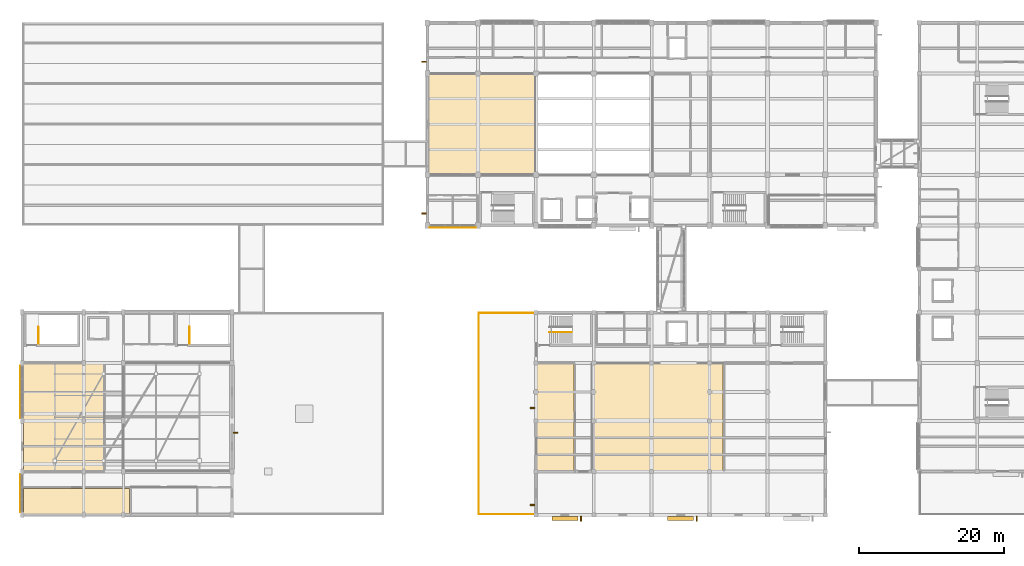
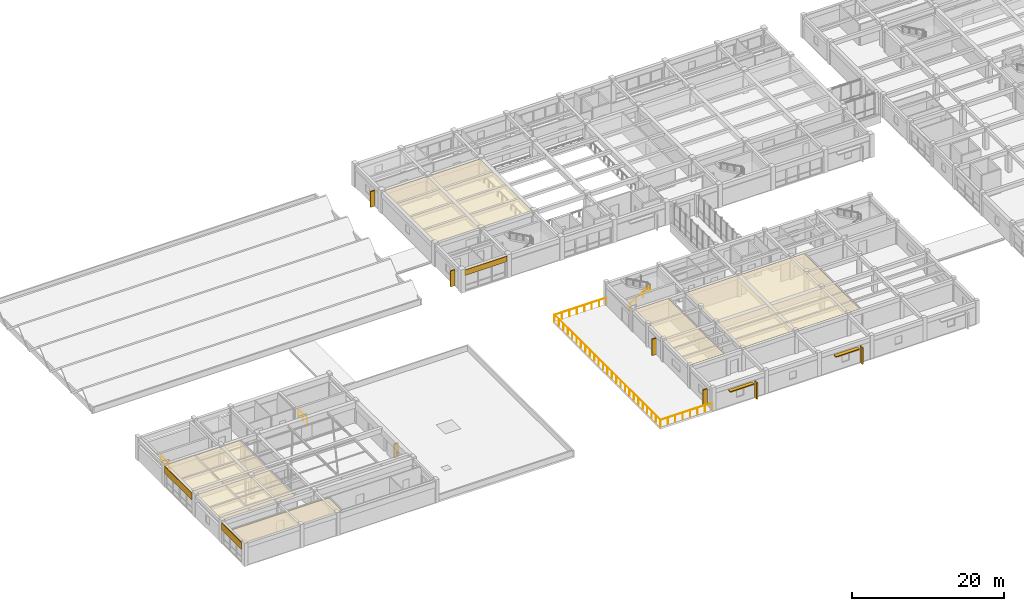
# One storey, part 36 of 42: 9 shading devices, 8 coverings, 6 railings.
"""IFC4 building model written with IfcOpenShell, lengths in metres."""

from ifc_helpers import new_model, si_unit, direction, frame, origin, origin_2d, place, context, subcontext, project, spatial, polyline, rectangle, circle, outline, extrude, material, layer, layer_set, type_object, element, save


model = new_model("IFC4")

# Units and contexts
model_context = context("Model", 3, precision=1e-05, world=origin(), true_north=direction((0.0, 1.0)))
body_context = subcontext(model_context, "Body", "Model", "MODEL_VIEW")
ifc_project = project(units=[si_unit("LENGTHUNIT", "METRE"), si_unit("AREAUNIT", "SQUARE_METRE"), si_unit("VOLUMEUNIT", "CUBIC_METRE"), si_unit("PLANEANGLEUNIT", "RADIAN"), si_unit("MASSUNIT", "GRAM", prefix="KILO")], contexts=[model_context])

# Site, building, storey
site_placement = place(None, origin())
site = spatial("IfcSite", under=ifc_project, at=site_placement, CompositionType="ELEMENT")
building_placement = place(site_placement, origin())
building = spatial("IfcBuilding", under=site, at=building_placement, Name="Naurynzar Civic Courthouse", CompositionType="ELEMENT")
storey_placement = place(building_placement, frame((0.0, 0.0, 18.300048828125)))
storey = spatial("IfcBuildingStorey", under=building, at=storey_placement, Name="L05", CompositionType="ELEMENT", Elevation=18.300048828125)

# Coverings
ifc_material_1 = material(Name="Acoustic Oak Timber Grade A", Category="wood")
ifc_layer_1 = layer(ifc_material_1, 0.044921875)
ifc_layer_set_1 = layer_set([ifc_layer_1], Name="CEIL-ACOUSTIC-OAK-45")
covering_type_1 = type_object("IfcCoveringType", Name="CEIL-ACOUSTIC-OAK-45", PredefinedType="CEILING", material=ifc_layer_set_1)
covering_1_placement = place(storey_placement, frame((0.0, 0.0, 3.364990234375)))
element("IfcCovering", 1, at=covering_1_placement, inside=storey, type_object=covering_type_1, Name="Acoustic suspended ceiling Principal Civil Courtroom 5A", PredefinedType="CEILING", context=body_context, shape_type="SweptSolid", body=[
    extrude(outline(polyline([(62.159912109375, 51.159912109375), (62.159912109375, 64.840087890625), (76.840087890625, 64.840087890625), (76.840087890625, 51.159912109375), (62.159912109375, 51.159912109375)])), origin(), (0.0, 0.0, 1.0), 0.044921875),
])
ifc_material_2 = material(Name="Mineral Fibre Acoustic Ceiling")
ifc_layer_2 = layer(ifc_material_2, 0.030029296875)
ifc_layer_set_2 = layer_set([ifc_layer_2], Name="CEIL-MINERAL-30")
covering_type_2 = type_object("IfcCoveringType", Name="CEIL-MINERAL-30", PredefinedType="CEILING", material=ifc_layer_set_2)
covering_2_placement = place(storey_placement, frame((0.0, 0.0, 3.3349609375)))
element("IfcCovering", 2, at=covering_2_placement, inside=storey, type_object=covering_type_2, Name="Acoustic suspended ceiling Judicial Archive Reference Hall", PredefinedType="CEILING", context=body_context, shape_type="SweptSolid", body=[
    extrude(outline(polyline([(17.239990234375, 10.159912109375), (6.159912109375, 10.159912109375), (6.159912109375, 24.840087890625), (17.239990234375, 24.840087890625), (17.239990234375, 10.159912109375)])), origin(), (0.0, 0.0, 1.0), 0.030029296875),
])
covering_3_placement = place(storey_placement, frame((0.0, 0.0, 3.3349609375)))
element("IfcCovering", 3, at=covering_3_placement, inside=storey, type_object=covering_type_2, Name="Acoustic suspended ceiling Judicial Clerks' Training Room", PredefinedType="CEILING", context=body_context, shape_type="SweptSolid", body=[
    extrude(outline(polyline([(20.840087890625, 4.159912109375), (6.159912109375, 4.159912109375), (6.159912109375, 7.639892578125), (20.840087890625, 7.639892578125), (20.840087890625, 4.159912109375)])), origin(), (0.0, 0.0, 1.0), 0.030029296875),
])
covering_4_placement = place(storey_placement, frame((0.0, 0.0, 3.364990234375)))
element("IfcCovering", 4, at=covering_4_placement, inside=storey, type_object=covering_type_2, Name="Acoustic suspended ceiling Law Library Reading Room West L05", PredefinedType="CEILING", context=body_context, shape_type="SweptSolid", body=[
    extrude(outline(polyline([(82.239990234375, 10.159912109375), (77.159912109375, 10.159912109375), (77.159912109375, 24.840087890625), (82.239990234375, 24.840087890625), (82.239990234375, 10.159912109375)])), origin(), (0.0, 0.0, 1.0), 0.030029296875),
])
covering_5_placement = place(storey_placement, frame((0.0, 0.0, 3.364990234375)))
element("IfcCovering", 5, at=covering_5_placement, inside=storey, type_object=covering_type_2, Name="Acoustic suspended ceiling Law Library Reading Room Main Hall", PredefinedType="CEILING", context=body_context, shape_type="SweptSolid", body=[
    extrude(outline(polyline([(102.840087890625, 10.159912109375), (84.9599609375, 10.159912109375), (84.9599609375, 24.840087890625), (102.840087890625, 24.840087890625), (102.840087890625, 10.159912109375)])), origin(), (0.0, 0.0, 1.0), 0.030029296875),
])
ifc_material_3 = material(Name="Precast concrete C40/50", Category="concrete")
ifc_layer_3 = layer(ifc_material_3, 0.080078125)
ifc_layer_set_3 = layer_set([ifc_layer_3], Name="COV-CLAD-PRECAST-80")
covering_type_3 = type_object("IfcCoveringType", Name="COV-CLAD-PRECAST-80", PredefinedType="CLADDING", material=ifc_layer_set_3)
covering_6_placement = place(storey_placement, frame((65.5, 43.7451171875, 2.599853515625), z_axis=(0.0, 0.0, 1.0), x_axis=(-1.0, 0.0, 0.0)))
element("IfcCovering", 6, at=covering_6_placement, inside=storey, type_object=covering_type_3, Name="V2 precast spandrel cladding 42", PredefinedType="CLADDING", context=body_context, shape_type="SweptSolid", body=[
    extrude(rectangle(XDim=6.35009765625, YDim=0.080078125, at=origin_2d()), origin(), (0.0, 0.0, 1.0), 0.8701171875),
])
covering_7_placement = place(storey_placement, frame((5.7451171875, 7.0, 2.349853515625), z_axis=(0.0, 0.0, 1.0), x_axis=(0.0, 1.0, 0.0)))
element("IfcCovering", 7, at=covering_7_placement, inside=storey, type_object=covering_type_3, Name="V4 precast spandrel cladding 83", PredefinedType="CLADDING", context=body_context, shape_type="SweptSolid", body=[
    extrude(rectangle(XDim=5.25, YDim=0.080078125, at=origin_2d()), origin(), (0.0, 0.0, 1.0), 1.1201171875),
])
covering_8_placement = place(storey_placement, frame((5.7451171875, 21.0, 2.349853515625), z_axis=(0.0, 0.0, 1.0), x_axis=(0.0, 1.0, 0.0)))
element("IfcCovering", 8, at=covering_8_placement, inside=storey, type_object=covering_type_3, Name="V4 precast spandrel cladding 84", PredefinedType="CLADDING", context=body_context, shape_type="SweptSolid", body=[
    extrude(rectangle(XDim=7.25, YDim=0.080078125, at=origin_2d()), origin(), (0.0, 0.0, 1.0), 1.1201171875),
])

# Railings
ifc_material_4 = material(Name="Brushed Stainless Steel 304", Category="steel")
railing_type_1 = type_object("IfcRailingType", Name="RAIL-BAL-1100", PredefinedType="BALUSTRADE", material=ifc_material_4)
railing_1_placement = place(storey_placement, frame((76.97998046875, 4.10009765625, 0.0)))
element("IfcRailing", 9, at=railing_1_placement, inside=storey, type_object=railing_type_1, Name="Roof garden perimeter balustrade guard GR-RG-V3.1", PredefinedType="BALUSTRADE", context=body_context, shape_type="SweptSolid", body=[
    extrude(circle(Radius=0.02392578125, at=origin_2d()), frame((0.0, 0.0, 1.09619140625), z_axis=(-1.0, 0.0, 0.0), x_axis=(0.0, -1.0, 0.0)), (0.0, 0.0, 1.0), 7.8798828125),
    extrude(circle(Radius=0.02099609375, at=origin_2d()), origin(), (0.0, 0.0, 1.0), 1.072021484375),
    extrude(circle(Radius=0.02099609375, at=origin_2d()), frame((-1.125732421875, 0.0, 0.0)), (0.0, 0.0, 1.0), 1.072021484375),
    extrude(circle(Radius=0.02099609375, at=origin_2d()), frame((-2.25146484375, 0.0, 0.0)), (0.0, 0.0, 1.0), 1.072021484375),
    extrude(circle(Radius=0.02099609375, at=origin_2d()), frame((-3.377197265625, 0.0, 0.0)), (0.0, 0.0, 1.0), 1.072021484375),
    extrude(circle(Radius=0.02099609375, at=origin_2d()), frame((-4.502685546875, 0.0, 0.0)), (0.0, 0.0, 1.0), 1.072021484375),
    extrude(circle(Radius=0.02099609375, at=origin_2d()), frame((-5.62841796875, 0.0, 0.0)), (0.0, 0.0, 1.0), 1.072021484375),
    extrude(circle(Radius=0.02099609375, at=origin_2d()), frame((-6.754150390625, 0.0, 0.0)), (0.0, 0.0, 1.0), 1.072021484375),
    extrude(circle(Radius=0.02099609375, at=origin_2d()), frame((-7.8798828125, 0.0, 0.0)), (0.0, 0.0, 1.0), 1.072021484375),
])
railing_2_placement = place(storey_placement, frame((69.10009765625, 4.10009765625, 0.0)))
element("IfcRailing", 10, at=railing_2_placement, inside=storey, type_object=railing_type_1, Name="Roof garden perimeter balustrade guard GR-RG-V3.2", PredefinedType="BALUSTRADE", context=body_context, shape_type="SweptSolid", body=[
    extrude(circle(Radius=0.02392578125, at=origin_2d()), frame((0.0, 0.0, 1.09619140625), z_axis=(0.0, 1.0, 0.0), x_axis=(-1.0, 0.0, 0.0)), (0.0, 0.0, 1.0), 27.7998046875),
    extrude(circle(Radius=0.02099609375, at=origin_2d()), origin(), (0.0, 0.0, 1.0), 1.072021484375),
    extrude(circle(Radius=0.02099609375, at=origin_2d()), frame((0.0, 1.158203125, 0.0)), (0.0, 0.0, 1.0), 1.072021484375),
    extrude(circle(Radius=0.02099609375, at=origin_2d()), frame((0.0, 2.316650390625, 0.0)), (0.0, 0.0, 1.0), 1.072021484375),
    extrude(circle(Radius=0.02099609375, at=origin_2d()), frame((0.0, 3.47509765625, 0.0)), (0.0, 0.0, 1.0), 1.072021484375),
    extrude(circle(Radius=0.02099609375, at=origin_2d()), frame((0.0, 4.63330078125, 0.0)), (0.0, 0.0, 1.0), 1.072021484375),
    extrude(circle(Radius=0.02099609375, at=origin_2d()), frame((0.0, 5.79150390625, 0.0)), (0.0, 0.0, 1.0), 1.072021484375),
    extrude(circle(Radius=0.02099609375, at=origin_2d()), frame((0.0, 6.949951171875, 0.0)), (0.0, 0.0, 1.0), 1.072021484375),
    extrude(circle(Radius=0.02099609375, at=origin_2d()), frame((0.0, 8.1083984375, 0.0)), (0.0, 0.0, 1.0), 1.072021484375),
    extrude(circle(Radius=0.02099609375, at=origin_2d()), frame((0.0, 9.2666015625, 0.0)), (0.0, 0.0, 1.0), 1.072021484375),
    extrude(circle(Radius=0.02099609375, at=origin_2d()), frame((0.0, 10.4248046875, 0.0)), (0.0, 0.0, 1.0), 1.072021484375),
    extrude(circle(Radius=0.02099609375, at=origin_2d()), frame((0.0, 11.583251953125, 0.0)), (0.0, 0.0, 1.0), 1.072021484375),
    extrude(circle(Radius=0.02099609375, at=origin_2d()), frame((0.0, 12.74169921875, 0.0)), (0.0, 0.0, 1.0), 1.072021484375),
    extrude(circle(Radius=0.02099609375, at=origin_2d()), frame((0.0, 13.89990234375, 0.0)), (0.0, 0.0, 1.0), 1.072021484375),
    extrude(circle(Radius=0.02099609375, at=origin_2d()), frame((0.0, 15.05810546875, 0.0)), (0.0, 0.0, 1.0), 1.072021484375),
    extrude(circle(Radius=0.02099609375, at=origin_2d()), frame((0.0, 16.216552734375, 0.0)), (0.0, 0.0, 1.0), 1.072021484375),
    extrude(circle(Radius=0.02099609375, at=origin_2d()), frame((0.0, 17.375, 0.0)), (0.0, 0.0, 1.0), 1.072021484375),
    extrude(circle(Radius=0.02099609375, at=origin_2d()), frame((0.0, 18.533203125, 0.0)), (0.0, 0.0, 1.0), 1.072021484375),
    extrude(circle(Radius=0.02099609375, at=origin_2d()), frame((0.0, 19.69140625, 0.0)), (0.0, 0.0, 1.0), 1.072021484375),
    extrude(circle(Radius=0.02099609375, at=origin_2d()), frame((0.0, 20.849853515625, 0.0)), (0.0, 0.0, 1.0), 1.072021484375),
    extrude(circle(Radius=0.02099609375, at=origin_2d()), frame((0.0, 22.00830078125, 0.0)), (0.0, 0.0, 1.0), 1.072021484375),
    extrude(circle(Radius=0.02099609375, at=origin_2d()), frame((0.0, 23.16650390625, 0.0)), (0.0, 0.0, 1.0), 1.072021484375),
    extrude(circle(Radius=0.02099609375, at=origin_2d()), frame((0.0, 24.32470703125, 0.0)), (0.0, 0.0, 1.0), 1.072021484375),
    extrude(circle(Radius=0.02099609375, at=origin_2d()), frame((0.0, 25.483154296875, 0.0)), (0.0, 0.0, 1.0), 1.072021484375),
    extrude(circle(Radius=0.02099609375, at=origin_2d()), frame((0.0, 26.6416015625, 0.0)), (0.0, 0.0, 1.0), 1.072021484375),
    extrude(circle(Radius=0.02099609375, at=origin_2d()), frame((0.0, 27.7998046875, 0.0)), (0.0, 0.0, 1.0), 1.072021484375),
])
railing_3_placement = place(storey_placement, frame((69.10009765625, 31.89990234375, 0.0)))
element("IfcRailing", 11, at=railing_3_placement, inside=storey, type_object=railing_type_1, Name="Roof garden perimeter balustrade guard GR-RG-V3.3", PredefinedType="BALUSTRADE", context=body_context, shape_type="SweptSolid", body=[
    extrude(circle(Radius=0.02392578125, at=origin_2d()), frame((0.0, 0.0, 1.09619140625), z_axis=(1.0, 0.0, 0.0), x_axis=(0.0, 1.0, 0.0)), (0.0, 0.0, 1.0), 7.8798828125),
    extrude(circle(Radius=0.02099609375, at=origin_2d()), origin(), (0.0, 0.0, 1.0), 1.072021484375),
    extrude(circle(Radius=0.02099609375, at=origin_2d()), frame((1.125732421875, 0.0, 0.0)), (0.0, 0.0, 1.0), 1.072021484375),
    extrude(circle(Radius=0.02099609375, at=origin_2d()), frame((2.25146484375, 0.0, 0.0)), (0.0, 0.0, 1.0), 1.072021484375),
    extrude(circle(Radius=0.02099609375, at=origin_2d()), frame((3.377197265625, 0.0, 0.0)), (0.0, 0.0, 1.0), 1.072021484375),
    extrude(circle(Radius=0.02099609375, at=origin_2d()), frame((4.502685546875, 0.0, 0.0)), (0.0, 0.0, 1.0), 1.072021484375),
    extrude(circle(Radius=0.02099609375, at=origin_2d()), frame((5.62841796875, 0.0, 0.0)), (0.0, 0.0, 1.0), 1.072021484375),
    extrude(circle(Radius=0.02099609375, at=origin_2d()), frame((6.754150390625, 0.0, 0.0)), (0.0, 0.0, 1.0), 1.072021484375),
    extrude(circle(Radius=0.02099609375, at=origin_2d()), frame((7.8798828125, 0.0, 0.0)), (0.0, 0.0, 1.0), 1.072021484375),
])
for number, where, name in (
    (12, (8.239990234375, 27.64990234375, 0.0), "Stair ST-V4A top floor well guard L05"),
    (13, (29.139892578125, 27.64990234375, 0.0), "Stair ST-V4B top floor well guard L05"),
):
    element("IfcRailing", number, at=place(storey_placement, frame(where)), inside=storey, type_object=railing_type_1, Name=name, PredefinedType="BALUSTRADE", context=body_context, shape_type="SweptSolid", body=[
        extrude(circle(Radius=0.02392578125, at=origin_2d()), frame((0.0, 0.0, 1.09619140625), z_axis=(0.0, 1.0, 0.0), x_axis=(-1.0, 0.0, 0.0)), (0.0, 0.0, 1.0), 2.31005859375),
        extrude(circle(Radius=0.02099609375, at=origin_2d()), origin(), (0.0, 0.0, 1.0), 1.072021484375),
        extrude(circle(Radius=0.02099609375, at=origin_2d()), frame((0.0, 1.155029296875, 0.0)), (0.0, 0.0, 1.0), 1.072021484375),
        extrude(circle(Radius=0.02099609375, at=origin_2d()), frame((0.0, 2.31005859375, 0.0)), (0.0, 0.0, 1.0), 1.072021484375),
    ])
ifc_material_5 = material(Name="Brushed Stainless Steel 304", Category="steel")
railing_type_2 = type_object("IfcRailingType", Name="RAIL-HR-900", PredefinedType="HANDRAIL", material=ifc_material_5)
railing_4_placement = place(storey_placement, frame((78.89990234375, 29.239990234375, 0.15625)))
element("IfcRailing", 14, at=railing_4_placement, inside=storey, type_object=railing_type_2, Name="Stair ST-V3A-L05 flight 1 handrail", PredefinedType="HANDRAIL", context=body_context, shape_type="SweptSolid", body=[
    extrude(circle(Radius=0.02392578125, at=origin_2d()), frame((0.0, 0.0, 0.8759765625), z_axis=(0.873241540666, 0.0, 0.487287606713), x_axis=(0.0, 1.0, 0.0)), (0.0, 0.0, 1.0), 3.527099609375),
    extrude(circle(Radius=0.02099609375, at=origin_2d()), origin(), (0.0, 0.0, 1.0), 0.851806640625),
    extrude(circle(Radius=0.02099609375, at=origin_2d()), frame((1.026611328125, 0.0, 0.572998046875)), (0.0, 0.0, 1.0), 0.851806640625),
    extrude(circle(Radius=0.02099609375, at=origin_2d()), frame((2.053466796875, 0.0, 1.145751953125)), (0.0, 0.0, 1.0), 0.851806640625),
    extrude(circle(Radius=0.02099609375, at=origin_2d()), frame((3.080078125, 0.0, 1.71875)), (0.0, 0.0, 1.0), 0.851806640625),
])

# Shading devices
ifc_material_6 = material(Name="Precast concrete C40/50", Category="concrete")
shading_device_type_1 = type_object("IfcShadingDeviceType", Name="SHD-FIN-V650", PredefinedType="JALOUSIE", material=ifc_material_6)
for number, where, z_axis, x_axis, name in (
    (15, (61.530029296875, 45.639892578125, 0.0400390625), (0.0, 0.0, 1.0), (0.0, 1.0, 0.0), "V2 vertical brise-soleil fin 23"),
    (16, (61.530029296875, 66.639892578125, 0.0400390625), (0.0, 0.0, 1.0), (0.0, 1.0, 0.0), "V2 vertical brise-soleil fin 24"),
):
    element("IfcShadingDevice", number, at=place(storey_placement, frame(where, z_axis=z_axis, x_axis=x_axis)), inside=storey, type_object=shading_device_type_1, Name=name, PredefinedType="JALOUSIE", context=body_context, shape_type="SweptSolid", body=[
        extrude(rectangle(XDim=0.179931640625, YDim=0.64990234375, at=origin_2d()), origin(), (0.0, 0.0, 1.0), 2.52001953125),
    ])
for number, where, z_axis, x_axis, name in (
    (17, (76.550048828125, 5.364990234375, 0.0400390625), (0.0, 0.0, 1.0), (0.0, 1.0, 0.0), "V3 vertical brise-soleil fin 52"),
    (18, (76.550048828125, 18.764892578125, 0.0400390625), (0.0, 0.0, 1.0), (0.0, 1.0, 0.0), "V3 vertical brise-soleil fin 53"),
    (19, (99.235107421875, 3.469970703125, 0.0400390625), (0.0, 0.0, 1.0), (-1.0, 0.0, 0.0), "V3 vertical brise-soleil fin 56"),
    (20, (83.235107421875, 3.469970703125, 0.0400390625), (0.0, 0.0, 1.0), (-1.0, 0.0, 0.0), "V3 vertical brise-soleil fin 57"),
):
    element("IfcShadingDevice", number, at=place(storey_placement, frame(where, z_axis=z_axis, x_axis=x_axis)), inside=storey, type_object=shading_device_type_1, Name=name, PredefinedType="JALOUSIE", context=body_context, shape_type="SweptSolid", body=[
        extrude(rectangle(XDim=0.179931640625, YDim=0.64990234375, at=origin_2d()), origin(), (0.0, 0.0, 1.0), 2.610107421875),
    ])
shading_device_placement = place(storey_placement, frame((35.47998046875, 15.35498046875, 0.0400390625), z_axis=(0.0, 0.0, 1.0), x_axis=(0.0, -1.0, 0.0)))
element("IfcShadingDevice", 21, at=shading_device_placement, inside=storey, type_object=shading_device_type_1, Name="V4 vertical brise-soleil fin 70", PredefinedType="JALOUSIE", context=body_context, shape_type="SweptSolid", body=[
    extrude(rectangle(XDim=0.179931640625, YDim=0.64990234375, at=origin_2d()), origin(), (0.0, 0.0, 1.0), 2.27001953125),
])
ifc_material_7 = material(Name="Precast concrete C40/50", Category="concrete")
shading_device_type_2 = type_object("IfcShadingDeviceType", Name="SHD-LOUV-H550", PredefinedType="SHUTTER", material=ifc_material_7)
for number, where, z_axis, x_axis, name in (
    (22, (97.0, 3.52001953125, 2.4501953125), (0.0, 0.0, 1.0), (-1.0, 0.0, 0.0), "V3 horizontal solar sun-breaker 56"),
    (23, (81.0, 3.52001953125, 2.4501953125), (0.0, 0.0, 1.0), (-1.0, 0.0, 0.0), "V3 horizontal solar sun-breaker 57"),
):
    element("IfcShadingDevice", number, at=place(storey_placement, frame(where, z_axis=z_axis, x_axis=x_axis)), inside=storey, type_object=shading_device_type_2, Name=name, PredefinedType="SHUTTER", context=body_context, shape_type="SweptSolid", body=[
        extrude(rectangle(XDim=3.60009765625, YDim=0.550048828125, at=origin_2d()), origin(), (0.0, 0.0, 1.0), 0.159912109375),
    ])

save(model, "model.ifc")
